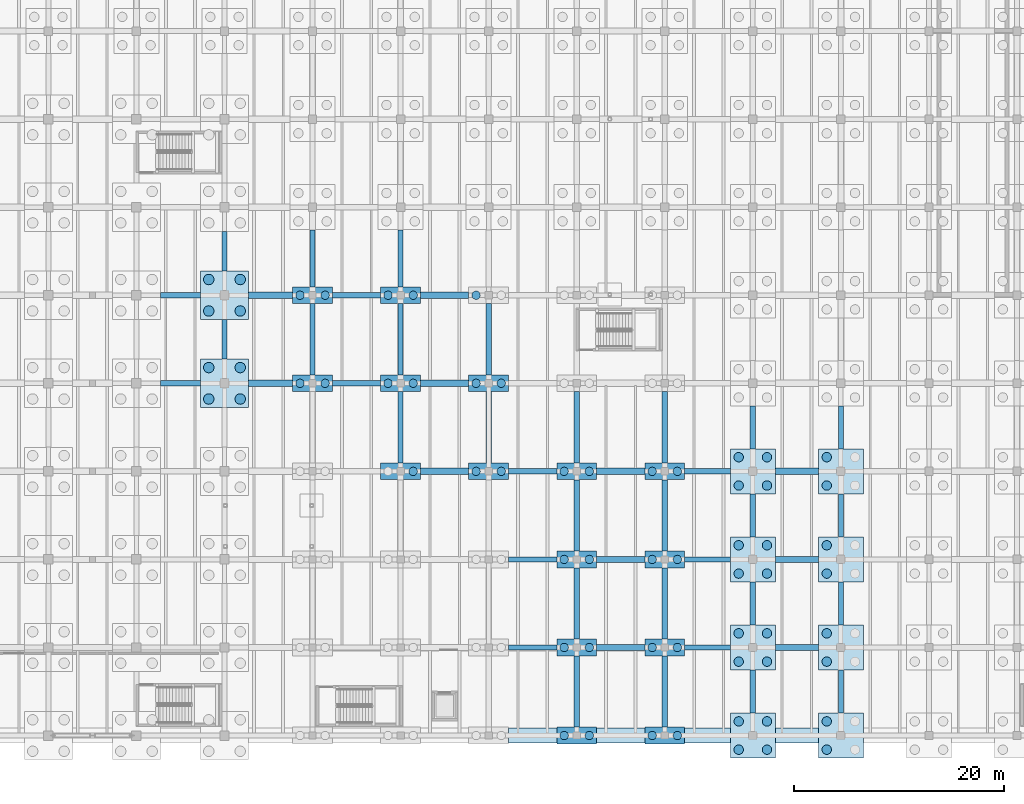
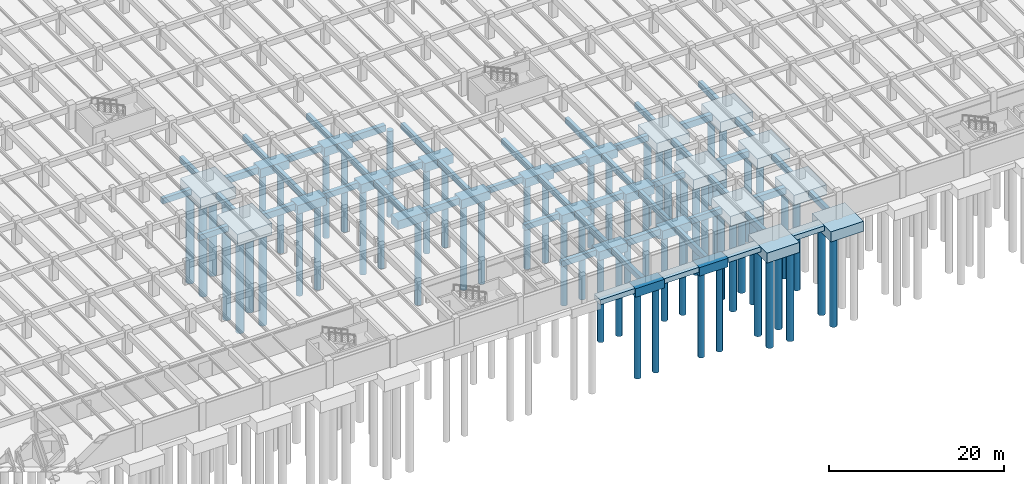
# One storey, part 4 of 70: 75 footings, 62 piles.
"""IFC4 building model written with IfcOpenShell, lengths in metres."""

from ifc_helpers import new_model, si_unit, direction, frame, origin, origin_2d, place, context, subcontext, project, spatial, rectangle, circle, extrude, material, material_profile, profile_set, type_object, element, save


model = new_model("IFC4")

# Units and contexts
model_context = context("Model", 3, precision=1e-05, world=origin(), true_north=direction((0.0, 1.0)))
body_context = subcontext(model_context, "Body", "Model", "MODEL_VIEW")
ifc_project = project(units=[si_unit("LENGTHUNIT", "METRE"), si_unit("AREAUNIT", "SQUARE_METRE"), si_unit("VOLUMEUNIT", "CUBIC_METRE"), si_unit("PLANEANGLEUNIT", "RADIAN"), si_unit("MASSUNIT", "GRAM", prefix="KILO")], contexts=[model_context])

# Site, building, storey
site_placement = place(None, origin())
site = spatial("IfcSite", under=ifc_project, at=site_placement, CompositionType="ELEMENT")
building_placement = place(site_placement, origin())
building = spatial("IfcBuilding", under=site, at=building_placement, Name="Cumbredor Promenade Congress Hotel", CompositionType="ELEMENT")
storey_placement = place(building_placement, frame((0.0, 0.0, -7.56005859375)))
storey = spatial("IfcBuildingStorey", under=building, at=storey_placement, Name="B02", CompositionType="ELEMENT", Elevation=-7.56005859375)

# Piles
ifc_material = material(Name="Concrete C40/50", Category="concrete")
ifc_material_profile_1 = material_profile(ifc_material, circle(Radius=0.39990234375, at=origin_2d()), Name="PILE D800")
ifc_profile_set_1 = profile_set([ifc_material_profile_1], Name="Concrete C40/50")
pile_type_1 = type_object("IfcPileType", Name="Bored Concrete Pile BP-01 800mm", PredefinedType="BORED", material=ifc_profile_set_1)
for number, where, z_axis, x_axis, name in (
    (1, (74.39990234375, 42.0, -1.550048828125), (0.0, 0.0, -1.0), (1.0, 0.0, 0.0), "Bored Pile PC-01-118.1"),
    (2, (76.800048828125, 42.0, -1.550048828125), (0.0, 0.0, -1.0), (1.0, 0.0, 0.0), "Bored Pile PC-01-118.2"),
    (3, (74.39990234375, 50.39990234375, -1.550048828125), (0.0, 0.0, -1.0), (1.0, 0.0, 0.0), "Bored Pile PC-01-119.1"),
    (4, (76.800048828125, 50.39990234375, -1.550048828125), (0.0, 0.0, -1.0), (1.0, 0.0, 0.0), "Bored Pile PC-01-119.2"),
    (5, (85.199951171875, 33.60009765625, -1.550048828125), (0.0, 0.0, -1.0), (1.0, 0.0, 0.0), "Bored Pile PC-01-131.2"),
    (6, (82.800048828125, 42.0, -1.550048828125), (0.0, 0.0, -1.0), (1.0, 0.0, 0.0), "Bored Pile PC-01-132.1"),
    (7, (85.199951171875, 42.0, -1.550048828125), (0.0, 0.0, -1.0), (1.0, 0.0, 0.0), "Bored Pile PC-01-132.2"),
    (8, (82.800048828125, 50.39990234375, -1.550048828125), (0.0, 0.0, -1.0), (1.0, 0.0, 0.0), "Bored Pile PC-01-133.1"),
    (9, (85.199951171875, 50.39990234375, -1.550048828125), (0.0, 0.0, -1.0), (1.0, 0.0, 0.0), "Bored Pile PC-01-133.2"),
    (10, (91.199951171875, 33.60009765625, -1.550048828125), (0.0, 0.0, -1.0), (1.0, 0.0, 0.0), "Bored Pile PC-01-145.1"),
    (11, (93.60009765625, 33.60009765625, -1.550048828125), (0.0, 0.0, -1.0), (1.0, 0.0, 0.0), "Bored Pile PC-01-145.2"),
    (12, (91.199951171875, 42.0, -1.550048828125), (0.0, 0.0, -1.0), (1.0, 0.0, 0.0), "Bored Pile PC-01-146.1"),
    (13, (93.60009765625, 42.0, -1.550048828125), (0.0, 0.0, -1.0), (1.0, 0.0, 0.0), "Bored Pile PC-01-146.2"),
    (14, (91.199951171875, 50.39990234375, -1.550048828125), (0.0, 0.0, -1.0), (1.0, 0.0, 0.0), "Bored Pile PC-01-147.1"),
    (15, (99.60009765625, 8.39990234375, -1.550048828125), (0.0, 0.0, -1.0), (1.0, 0.0, 0.0), "Bored Pile PC-01-156.1"),
    (16, (102.0, 8.39990234375, -1.550048828125), (0.0, 0.0, -1.0), (1.0, 0.0, 0.0), "Bored Pile PC-01-156.2"),
    (17, (99.60009765625, 16.800048828125, -1.550048828125), (0.0, 0.0, -1.0), (1.0, 0.0, 0.0), "Bored Pile PC-01-157.1"),
    (18, (102.0, 16.800048828125, -1.550048828125), (0.0, 0.0, -1.0), (1.0, 0.0, 0.0), "Bored Pile PC-01-157.2"),
    (19, (99.60009765625, 25.199951171875, -1.550048828125), (0.0, 0.0, -1.0), (1.0, 0.0, 0.0), "Bored Pile PC-01-158.1"),
    (20, (102.0, 25.199951171875, -1.550048828125), (0.0, 0.0, -1.0), (1.0, 0.0, 0.0), "Bored Pile PC-01-158.2"),
    (21, (99.60009765625, 33.60009765625, -1.550048828125), (0.0, 0.0, -1.0), (1.0, 0.0, 0.0), "Bored Pile PC-01-159.1"),
    (22, (102.0, 33.60009765625, -1.550048828125), (0.0, 0.0, -1.0), (1.0, 0.0, 0.0), "Bored Pile PC-01-159.2"),
    (23, (108.0, 8.39990234375, -1.550048828125), (0.0, 0.0, -1.0), (1.0, 0.0, 0.0), "Bored Pile PC-01-170.1"),
    (24, (110.39990234375, 8.39990234375, -1.550048828125), (0.0, 0.0, -1.0), (1.0, 0.0, 0.0), "Bored Pile PC-01-170.2"),
    (25, (108.0, 16.800048828125, -1.550048828125), (0.0, 0.0, -1.0), (1.0, 0.0, 0.0), "Bored Pile PC-01-171.1"),
    (26, (110.39990234375, 16.800048828125, -1.550048828125), (0.0, 0.0, -1.0), (1.0, 0.0, 0.0), "Bored Pile PC-01-171.2"),
    (27, (108.0, 25.199951171875, -1.550048828125), (0.0, 0.0, -1.0), (1.0, 0.0, 0.0), "Bored Pile PC-01-172.1"),
    (28, (110.39990234375, 25.199951171875, -1.550048828125), (0.0, 0.0, -1.0), (1.0, 0.0, 0.0), "Bored Pile PC-01-172.2"),
    (29, (108.0, 33.60009765625, -1.550048828125), (0.0, 0.0, -1.0), (1.0, 0.0, 0.0), "Bored Pile PC-01-173.1"),
    (30, (110.39990234375, 33.60009765625, -1.550048828125), (0.0, 0.0, -1.0), (1.0, 0.0, 0.0), "Bored Pile PC-01-173.2"),
):
    element("IfcPile", number, at=place(storey_placement, frame(where, z_axis=z_axis, x_axis=x_axis)), inside=storey, type_object=pile_type_1, Name=name, PredefinedType="BORED", context=body_context, shape_type="SweptSolid", body=[
        extrude(circle(Radius=0.39990234375, at=origin_2d()), origin(), (0.0, 0.0, 1.0), 12.0),
    ])
ifc_material_profile_2 = material_profile(ifc_material, circle(Radius=0.449951171875, at=origin_2d()), Name="PILE D900")
ifc_profile_set_2 = profile_set([ifc_material_profile_2], Name="Concrete C40/50")
pile_type_2 = type_object("IfcPileType", Name="Bored Concrete Pile BP-02 900mm", PredefinedType="BORED", material=ifc_profile_set_2)
for number, where, z_axis, x_axis, name in (
    (31, (116.25, 7.050048828125, -1.75), (0.0, 0.0, -1.0), (1.0, 0.0, 0.0), "Bored Pile PC-02-184.1"),
    (32, (118.949951171875, 7.050048828125, -1.75), (0.0, 0.0, -1.0), (1.0, 0.0, 0.0), "Bored Pile PC-02-184.2"),
    (33, (116.25, 9.75, -1.75), (0.0, 0.0, -1.0), (1.0, 0.0, 0.0), "Bored Pile PC-02-184.3"),
    (34, (118.949951171875, 9.75, -1.75), (0.0, 0.0, -1.0), (1.0, 0.0, 0.0), "Bored Pile PC-02-184.4"),
    (35, (116.25, 15.449951171875, -1.75), (0.0, 0.0, -1.0), (1.0, 0.0, 0.0), "Bored Pile PC-02-185.1"),
    (36, (118.949951171875, 15.449951171875, -1.75), (0.0, 0.0, -1.0), (1.0, 0.0, 0.0), "Bored Pile PC-02-185.2"),
    (37, (116.25, 18.14990234375, -1.75), (0.0, 0.0, -1.0), (1.0, 0.0, 0.0), "Bored Pile PC-02-185.3"),
    (38, (118.949951171875, 18.14990234375, -1.75), (0.0, 0.0, -1.0), (1.0, 0.0, 0.0), "Bored Pile PC-02-185.4"),
    (39, (116.25, 23.85009765625, -1.75), (0.0, 0.0, -1.0), (1.0, 0.0, 0.0), "Bored Pile PC-02-186.1"),
    (40, (118.949951171875, 23.85009765625, -1.75), (0.0, 0.0, -1.0), (1.0, 0.0, 0.0), "Bored Pile PC-02-186.2"),
    (41, (116.25, 26.550048828125, -1.75), (0.0, 0.0, -1.0), (1.0, 0.0, 0.0), "Bored Pile PC-02-186.3"),
    (42, (118.949951171875, 26.550048828125, -1.75), (0.0, 0.0, -1.0), (1.0, 0.0, 0.0), "Bored Pile PC-02-186.4"),
    (43, (116.25, 32.25, -1.75), (0.0, 0.0, -1.0), (1.0, 0.0, 0.0), "Bored Pile PC-02-187.1"),
    (44, (118.949951171875, 32.25, -1.75), (0.0, 0.0, -1.0), (1.0, 0.0, 0.0), "Bored Pile PC-02-187.2"),
    (45, (116.25, 34.949951171875, -1.75), (0.0, 0.0, -1.0), (1.0, 0.0, 0.0), "Bored Pile PC-02-187.3"),
    (46, (118.949951171875, 34.949951171875, -1.75), (0.0, 0.0, -1.0), (1.0, 0.0, 0.0), "Bored Pile PC-02-187.4"),
    (47, (124.64990234375, 7.050048828125, -1.75), (0.0, 0.0, -1.0), (1.0, 0.0, 0.0), "Bored Pile PC-02-198.1"),
    (48, (124.64990234375, 9.75, -1.75), (0.0, 0.0, -1.0), (1.0, 0.0, 0.0), "Bored Pile PC-02-198.3"),
    (49, (124.64990234375, 15.449951171875, -1.75), (0.0, 0.0, -1.0), (1.0, 0.0, 0.0), "Bored Pile PC-02-199.1"),
    (50, (124.64990234375, 18.14990234375, -1.75), (0.0, 0.0, -1.0), (1.0, 0.0, 0.0), "Bored Pile PC-02-199.3"),
    (51, (124.64990234375, 23.85009765625, -1.75), (0.0, 0.0, -1.0), (1.0, 0.0, 0.0), "Bored Pile PC-02-200.1"),
    (52, (124.64990234375, 26.550048828125, -1.75), (0.0, 0.0, -1.0), (1.0, 0.0, 0.0), "Bored Pile PC-02-200.3"),
    (53, (124.64990234375, 32.25, -1.75), (0.0, 0.0, -1.0), (1.0, 0.0, 0.0), "Bored Pile PC-02-201.1"),
    (54, (124.64990234375, 34.949951171875, -1.75), (0.0, 0.0, -1.0), (1.0, 0.0, 0.0), "Bored Pile PC-02-201.3"),
):
    element("IfcPile", number, at=place(storey_placement, frame(where, z_axis=z_axis, x_axis=x_axis)), inside=storey, type_object=pile_type_2, Name=name, PredefinedType="BORED", context=body_context, shape_type="SweptSolid", body=[
        extrude(circle(Radius=0.449951171875, at=origin_2d()), origin(), (0.0, 0.0, 1.0), 12.5),
    ])
ifc_material_profile_3 = material_profile(ifc_material, circle(Radius=0.5, at=origin_2d()), Name="PILE D1000")
ifc_profile_set_3 = profile_set([ifc_material_profile_3], Name="Concrete C40/50")
pile_type_3 = type_object("IfcPileType", Name="Bored Concrete Pile BP-03 1000mm", PredefinedType="BORED", material=ifc_profile_set_3)
for number, where, z_axis, x_axis, name in (
    (55, (65.699951171875, 40.5, -1.949951171875), (0.0, 0.0, -1.0), (1.0, 0.0, 0.0), "Bored Pile PC-03-104.1"),
    (56, (68.699951171875, 40.5, -1.949951171875), (0.0, 0.0, -1.0), (1.0, 0.0, 0.0), "Bored Pile PC-03-104.2"),
    (57, (65.699951171875, 43.5, -1.949951171875), (0.0, 0.0, -1.0), (1.0, 0.0, 0.0), "Bored Pile PC-03-104.3"),
    (58, (68.699951171875, 43.5, -1.949951171875), (0.0, 0.0, -1.0), (1.0, 0.0, 0.0), "Bored Pile PC-03-104.4"),
    (59, (65.699951171875, 48.89990234375, -1.949951171875), (0.0, 0.0, -1.0), (1.0, 0.0, 0.0), "Bored Pile PC-03-105.1"),
    (60, (68.699951171875, 48.89990234375, -1.949951171875), (0.0, 0.0, -1.0), (1.0, 0.0, 0.0), "Bored Pile PC-03-105.2"),
    (61, (65.699951171875, 51.89990234375, -1.949951171875), (0.0, 0.0, -1.0), (1.0, 0.0, 0.0), "Bored Pile PC-03-105.3"),
    (62, (68.699951171875, 51.89990234375, -1.949951171875), (0.0, 0.0, -1.0), (1.0, 0.0, 0.0), "Bored Pile PC-03-105.4"),
):
    element("IfcPile", number, at=place(storey_placement, frame(where, z_axis=z_axis, x_axis=x_axis)), inside=storey, type_object=pile_type_3, Name=name, PredefinedType="BORED", context=body_context, shape_type="SweptSolid", body=[
        extrude(circle(Radius=0.5, at=origin_2d()), origin(), (0.0, 0.0, 1.0), 12.800048828125),
    ])

# Footings
ifc_material_profile_4 = material_profile(ifc_material, rectangle(XDim=0.5, YDim=0.800048828125, at=origin_2d()), Name="FB 500x800")
ifc_profile_set_4 = profile_set([ifc_material_profile_4], Name="Concrete C40/50")
footing_type_1 = type_object("IfcFootingType", Name="Concrete Footing Tie Beam FB-01 500x800", PredefinedType="FOOTING_BEAM", material=ifc_profile_set_4)
for number, where, z_axis, x_axis, name in (
    (63, (61.10205078125, 42.0, -0.89990234375), (1.0, 0.0, 0.0), (0.0, 1.0, 0.0), "Seismic Footing Tie Beam FB-163"),
    (64, (61.10205078125, 50.39990234375, -0.89990234375), (1.0, 0.0, 0.0), (0.0, 1.0, 0.0), "Seismic Footing Tie Beam FB-165"),
    (65, (67.199951171875, 44.302001953125, -0.89990234375), (0.0, 1.0, 0.0), (-1.0, 0.0, 0.0), "Seismic Footing Tie Beam FB-191"),
):
    element("IfcFooting", number, at=place(storey_placement, frame(where, z_axis=z_axis, x_axis=x_axis)), inside=storey, type_object=footing_type_1, Name=name, PredefinedType="FOOTING_BEAM", context=body_context, shape_type="SweptSolid", body=[
        extrude(rectangle(XDim=0.5, YDim=0.800048828125, at=origin_2d()), origin(), (0.0, 0.0, 1.0), 3.7958984375),
    ])
footing_1_placement = place(storey_placement, frame((67.199951171875, 52.701904296875, -0.89990234375), z_axis=(0.0, 1.0, 0.0), x_axis=(-1.0, 0.0, 0.0)))
element("IfcFooting", 66, at=footing_1_placement, inside=storey, type_object=footing_type_1, Name="Seismic Footing Tie Beam FB-193", PredefinedType="FOOTING_BEAM", context=body_context, shape_type="SweptSolid", body=[
    extrude(rectangle(XDim=0.5, YDim=0.800048828125, at=origin_2d()), origin(), (0.0, 0.0, 1.0), 3.796142578125),
])
footing_2_placement = place(storey_placement, frame((77.501953125, 42.0, -0.89990234375), z_axis=(1.0, 0.0, 0.0), x_axis=(0.0, 1.0, 0.0)))
element("IfcFooting", 67, at=footing_2_placement, inside=storey, type_object=footing_type_1, Name="Seismic Footing Tie Beam FB-217", PredefinedType="FOOTING_BEAM", context=body_context, shape_type="SweptSolid", body=[
    extrude(rectangle(XDim=0.5, YDim=0.800048828125, at=origin_2d()), origin(), (0.0, 0.0, 1.0), 4.595947265625),
])
footing_3_placement = place(storey_placement, frame((75.60009765625, 42.802001953125, -0.89990234375), z_axis=(0.0, 1.0, 0.0), x_axis=(-1.0, 0.0, 0.0)))
element("IfcFooting", 68, at=footing_3_placement, inside=storey, type_object=footing_type_1, Name="Seismic Footing Tie Beam FB-218", PredefinedType="FOOTING_BEAM", context=body_context, shape_type="SweptSolid", body=[
    extrude(rectangle(XDim=0.5, YDim=0.800048828125, at=origin_2d()), origin(), (0.0, 0.0, 1.0), 6.7958984375),
])
footing_4_placement = place(storey_placement, frame((77.501953125, 50.39990234375, -0.89990234375), z_axis=(1.0, 0.0, 0.0), x_axis=(0.0, 1.0, 0.0)))
element("IfcFooting", 69, at=footing_4_placement, inside=storey, type_object=footing_type_1, Name="Seismic Footing Tie Beam FB-219", PredefinedType="FOOTING_BEAM", context=body_context, shape_type="SweptSolid", body=[
    extrude(rectangle(XDim=0.5, YDim=0.800048828125, at=origin_2d()), origin(), (0.0, 0.0, 1.0), 4.595947265625),
])
footing_5_placement = place(storey_placement, frame((75.60009765625, 51.201904296875, -0.89990234375), z_axis=(0.0, 1.0, 0.0), x_axis=(-1.0, 0.0, 0.0)))
element("IfcFooting", 70, at=footing_5_placement, inside=storey, type_object=footing_type_1, Name="Seismic Footing Tie Beam FB-220", PredefinedType="FOOTING_BEAM", context=body_context, shape_type="SweptSolid", body=[
    extrude(rectangle(XDim=0.5, YDim=0.800048828125, at=origin_2d()), origin(), (0.0, 0.0, 1.0), 5.446044921875),
])
for number, where, z_axis, x_axis, name in (
    (71, (84.0, 34.402099609375, -0.89990234375), (0.0, 1.0, 0.0), (-1.0, 0.0, 0.0), "Seismic Footing Tie Beam FB-243"),
    (72, (84.0, 42.802001953125, -0.89990234375), (0.0, 1.0, 0.0), (-1.0, 0.0, 0.0), "Seismic Footing Tie Beam FB-245"),
):
    element("IfcFooting", number, at=place(storey_placement, frame(where, z_axis=z_axis, x_axis=x_axis)), inside=storey, type_object=footing_type_1, Name=name, PredefinedType="FOOTING_BEAM", context=body_context, shape_type="SweptSolid", body=[
        extrude(rectangle(XDim=0.5, YDim=0.800048828125, at=origin_2d()), origin(), (0.0, 0.0, 1.0), 6.7958984375),
    ])
footing_6_placement = place(storey_placement, frame((84.0, 51.201904296875, -0.89990234375), z_axis=(0.0, 1.0, 0.0), x_axis=(-1.0, 0.0, 0.0)))
element("IfcFooting", 73, at=footing_6_placement, inside=storey, type_object=footing_type_1, Name="Seismic Footing Tie Beam FB-247", PredefinedType="FOOTING_BEAM", context=body_context, shape_type="SweptSolid", body=[
    extrude(rectangle(XDim=0.5, YDim=0.800048828125, at=origin_2d()), origin(), (0.0, 0.0, 1.0), 5.446044921875),
])
for number, where, z_axis, x_axis, name in (
    (74, (94.302001953125, 16.800048828125, -0.89990234375), (1.0, 0.0, 0.0), (0.0, 1.0, 0.0), "Seismic Footing Tie Beam FB-265"),
    (75, (94.302001953125, 25.199951171875, -0.89990234375), (1.0, 0.0, 0.0), (0.0, 1.0, 0.0), "Seismic Footing Tie Beam FB-267"),
    (76, (94.302001953125, 33.60009765625, -0.89990234375), (1.0, 0.0, 0.0), (0.0, 1.0, 0.0), "Seismic Footing Tie Beam FB-269"),
):
    element("IfcFooting", number, at=place(storey_placement, frame(where, z_axis=z_axis, x_axis=x_axis)), inside=storey, type_object=footing_type_1, Name=name, PredefinedType="FOOTING_BEAM", context=body_context, shape_type="SweptSolid", body=[
        extrude(rectangle(XDim=0.5, YDim=0.800048828125, at=origin_2d()), origin(), (0.0, 0.0, 1.0), 4.595947265625),
    ])
for number, where, z_axis, x_axis, name in (
    (77, (92.39990234375, 34.402099609375, -0.89990234375), (0.0, 1.0, 0.0), (-1.0, 0.0, 0.0), "Seismic Footing Tie Beam FB-270"),
    (78, (92.39990234375, 42.802001953125, -0.89990234375), (0.0, 1.0, 0.0), (-1.0, 0.0, 0.0), "Seismic Footing Tie Beam FB-272"),
):
    element("IfcFooting", number, at=place(storey_placement, frame(where, z_axis=z_axis, x_axis=x_axis)), inside=storey, type_object=footing_type_1, Name=name, PredefinedType="FOOTING_BEAM", context=body_context, shape_type="SweptSolid", body=[
        extrude(rectangle(XDim=0.5, YDim=0.800048828125, at=origin_2d()), origin(), (0.0, 0.0, 1.0), 6.7958984375),
    ])
footing_7_placement = place(storey_placement, frame((100.800048828125, 9.201904296875, -0.89990234375), z_axis=(0.0, 1.0, 0.0), x_axis=(-1.0, 0.0, 0.0)))
element("IfcFooting", 79, at=footing_7_placement, inside=storey, type_object=footing_type_1, Name="Seismic Footing Tie Beam FB-291", PredefinedType="FOOTING_BEAM", context=body_context, shape_type="SweptSolid", body=[
    extrude(rectangle(XDim=0.5, YDim=0.800048828125, at=origin_2d()), origin(), (0.0, 0.0, 1.0), 6.796142578125),
])
footing_8_placement = place(storey_placement, frame((100.800048828125, 17.60205078125, -0.89990234375), z_axis=(0.0, 1.0, 0.0), x_axis=(-1.0, 0.0, 0.0)))
element("IfcFooting", 80, at=footing_8_placement, inside=storey, type_object=footing_type_1, Name="Seismic Footing Tie Beam FB-293", PredefinedType="FOOTING_BEAM", context=body_context, shape_type="SweptSolid", body=[
    extrude(rectangle(XDim=0.5, YDim=0.800048828125, at=origin_2d()), origin(), (0.0, 0.0, 1.0), 6.7958984375),
])
footing_9_placement = place(storey_placement, frame((100.800048828125, 26.001953125, -0.89990234375), z_axis=(0.0, 1.0, 0.0), x_axis=(-1.0, 0.0, 0.0)))
element("IfcFooting", 81, at=footing_9_placement, inside=storey, type_object=footing_type_1, Name="Seismic Footing Tie Beam FB-295", PredefinedType="FOOTING_BEAM", context=body_context, shape_type="SweptSolid", body=[
    extrude(rectangle(XDim=0.5, YDim=0.800048828125, at=origin_2d()), origin(), (0.0, 0.0, 1.0), 6.796142578125),
])
footing_10_placement = place(storey_placement, frame((100.800048828125, 34.402099609375, -0.89990234375), z_axis=(0.0, 1.0, 0.0), x_axis=(-1.0, 0.0, 0.0)))
element("IfcFooting", 82, at=footing_10_placement, inside=storey, type_object=footing_type_1, Name="Seismic Footing Tie Beam FB-297", PredefinedType="FOOTING_BEAM", context=body_context, shape_type="SweptSolid", body=[
    extrude(rectangle(XDim=0.5, YDim=0.800048828125, at=origin_2d()), origin(), (0.0, 0.0, 1.0), 6.7958984375),
])
footing_11_placement = place(storey_placement, frame((109.199951171875, 9.201904296875, -0.89990234375), z_axis=(0.0, 1.0, 0.0), x_axis=(-1.0, 0.0, 0.0)))
element("IfcFooting", 83, at=footing_11_placement, inside=storey, type_object=footing_type_1, Name="Seismic Footing Tie Beam FB-318", PredefinedType="FOOTING_BEAM", context=body_context, shape_type="SweptSolid", body=[
    extrude(rectangle(XDim=0.5, YDim=0.800048828125, at=origin_2d()), origin(), (0.0, 0.0, 1.0), 6.796142578125),
])
footing_12_placement = place(storey_placement, frame((111.10205078125, 16.800048828125, -0.89990234375), z_axis=(1.0, 0.0, 0.0), x_axis=(0.0, 1.0, 0.0)))
element("IfcFooting", 84, at=footing_12_placement, inside=storey, type_object=footing_type_1, Name="Seismic Footing Tie Beam FB-319", PredefinedType="FOOTING_BEAM", context=body_context, shape_type="SweptSolid", body=[
    extrude(rectangle(XDim=0.5, YDim=0.800048828125, at=origin_2d()), origin(), (0.0, 0.0, 1.0), 4.345947265625),
])
footing_13_placement = place(storey_placement, frame((109.199951171875, 17.60205078125, -0.89990234375), z_axis=(0.0, 1.0, 0.0), x_axis=(-1.0, 0.0, 0.0)))
element("IfcFooting", 85, at=footing_13_placement, inside=storey, type_object=footing_type_1, Name="Seismic Footing Tie Beam FB-320", PredefinedType="FOOTING_BEAM", context=body_context, shape_type="SweptSolid", body=[
    extrude(rectangle(XDim=0.5, YDim=0.800048828125, at=origin_2d()), origin(), (0.0, 0.0, 1.0), 6.7958984375),
])
footing_14_placement = place(storey_placement, frame((111.10205078125, 25.199951171875, -0.89990234375), z_axis=(1.0, 0.0, 0.0), x_axis=(0.0, 1.0, 0.0)))
element("IfcFooting", 86, at=footing_14_placement, inside=storey, type_object=footing_type_1, Name="Seismic Footing Tie Beam FB-321", PredefinedType="FOOTING_BEAM", context=body_context, shape_type="SweptSolid", body=[
    extrude(rectangle(XDim=0.5, YDim=0.800048828125, at=origin_2d()), origin(), (0.0, 0.0, 1.0), 4.345947265625),
])
footing_15_placement = place(storey_placement, frame((109.199951171875, 26.001953125, -0.89990234375), z_axis=(0.0, 1.0, 0.0), x_axis=(-1.0, 0.0, 0.0)))
element("IfcFooting", 87, at=footing_15_placement, inside=storey, type_object=footing_type_1, Name="Seismic Footing Tie Beam FB-322", PredefinedType="FOOTING_BEAM", context=body_context, shape_type="SweptSolid", body=[
    extrude(rectangle(XDim=0.5, YDim=0.800048828125, at=origin_2d()), origin(), (0.0, 0.0, 1.0), 6.796142578125),
])
footing_16_placement = place(storey_placement, frame((111.10205078125, 33.60009765625, -0.89990234375), z_axis=(1.0, 0.0, 0.0), x_axis=(0.0, 1.0, 0.0)))
element("IfcFooting", 88, at=footing_16_placement, inside=storey, type_object=footing_type_1, Name="Seismic Footing Tie Beam FB-323", PredefinedType="FOOTING_BEAM", context=body_context, shape_type="SweptSolid", body=[
    extrude(rectangle(XDim=0.5, YDim=0.800048828125, at=origin_2d()), origin(), (0.0, 0.0, 1.0), 4.345947265625),
])
footing_17_placement = place(storey_placement, frame((109.199951171875, 34.402099609375, -0.89990234375), z_axis=(0.0, 1.0, 0.0), x_axis=(-1.0, 0.0, 0.0)))
element("IfcFooting", 89, at=footing_17_placement, inside=storey, type_object=footing_type_1, Name="Seismic Footing Tie Beam FB-324", PredefinedType="FOOTING_BEAM", context=body_context, shape_type="SweptSolid", body=[
    extrude(rectangle(XDim=0.5, YDim=0.800048828125, at=origin_2d()), origin(), (0.0, 0.0, 1.0), 6.7958984375),
])
footing_18_placement = place(storey_placement, frame((117.60009765625, 10.552001953125, -0.89990234375), z_axis=(0.0, 1.0, 0.0), x_axis=(-1.0, 0.0, 0.0)))
element("IfcFooting", 90, at=footing_18_placement, inside=storey, type_object=footing_type_1, Name="Seismic Footing Tie Beam FB-345", PredefinedType="FOOTING_BEAM", context=body_context, shape_type="SweptSolid", body=[
    extrude(rectangle(XDim=0.5, YDim=0.800048828125, at=origin_2d()), origin(), (0.0, 0.0, 1.0), 4.095947265625),
])
footing_19_placement = place(storey_placement, frame((117.60009765625, 18.951904296875, -0.89990234375), z_axis=(0.0, 1.0, 0.0), x_axis=(-1.0, 0.0, 0.0)))
element("IfcFooting", 91, at=footing_19_placement, inside=storey, type_object=footing_type_1, Name="Seismic Footing Tie Beam FB-347", PredefinedType="FOOTING_BEAM", context=body_context, shape_type="SweptSolid", body=[
    extrude(rectangle(XDim=0.5, YDim=0.800048828125, at=origin_2d()), origin(), (0.0, 0.0, 1.0), 4.09619140625),
])
for number, where, z_axis, x_axis, name in (
    (92, (117.60009765625, 27.35205078125, -0.89990234375), (0.0, 1.0, 0.0), (-1.0, 0.0, 0.0), "Seismic Footing Tie Beam FB-349"),
    (93, (117.60009765625, 35.751953125, -0.89990234375), (0.0, 1.0, 0.0), (-1.0, 0.0, 0.0), "Seismic Footing Tie Beam FB-351"),
    (94, (126.0, 10.552001953125, -0.89990234375), (0.0, 1.0, 0.0), (-1.0, 0.0, 0.0), "Seismic Footing Tie Beam FB-372"),
):
    element("IfcFooting", number, at=place(storey_placement, frame(where, z_axis=z_axis, x_axis=x_axis)), inside=storey, type_object=footing_type_1, Name=name, PredefinedType="FOOTING_BEAM", context=body_context, shape_type="SweptSolid", body=[
        extrude(rectangle(XDim=0.5, YDim=0.800048828125, at=origin_2d()), origin(), (0.0, 0.0, 1.0), 4.095947265625),
    ])
footing_20_placement = place(storey_placement, frame((126.0, 18.951904296875, -0.89990234375), z_axis=(0.0, 1.0, 0.0), x_axis=(-1.0, 0.0, 0.0)))
element("IfcFooting", 95, at=footing_20_placement, inside=storey, type_object=footing_type_1, Name="Seismic Footing Tie Beam FB-374", PredefinedType="FOOTING_BEAM", context=body_context, shape_type="SweptSolid", body=[
    extrude(rectangle(XDim=0.5, YDim=0.800048828125, at=origin_2d()), origin(), (0.0, 0.0, 1.0), 4.09619140625),
])
for number, where, z_axis, x_axis, name in (
    (96, (126.0, 27.35205078125, -0.89990234375), (0.0, 1.0, 0.0), (-1.0, 0.0, 0.0), "Seismic Footing Tie Beam FB-376"),
    (97, (126.0, 35.751953125, -0.89990234375), (0.0, 1.0, 0.0), (-1.0, 0.0, 0.0), "Seismic Footing Tie Beam FB-378"),
):
    element("IfcFooting", number, at=place(storey_placement, frame(where, z_axis=z_axis, x_axis=x_axis)), inside=storey, type_object=footing_type_1, Name=name, PredefinedType="FOOTING_BEAM", context=body_context, shape_type="SweptSolid", body=[
        extrude(rectangle(XDim=0.5, YDim=0.800048828125, at=origin_2d()), origin(), (0.0, 0.0, 1.0), 4.095947265625),
    ])
ifc_material_profile_5 = material_profile(ifc_material, rectangle(XDim=0.60009765625, YDim=0.89990234375, at=origin_2d()), Name="FB 600x900")
ifc_profile_set_5 = profile_set([ifc_material_profile_5], Name="Concrete C40/50")
footing_type_2 = type_object("IfcFootingType", Name="Concrete Footing Tie Beam FB-02 600x900", PredefinedType="FOOTING_BEAM", material=ifc_profile_set_5)
for number, where, z_axis, x_axis, name in (
    (98, (69.501953125, 42.0, -0.949951171875), (1.0, 0.0, 0.0), (0.0, 1.0, 0.0), "Seismic Footing Tie Beam FB-190"),
    (99, (69.501953125, 50.39990234375, -0.949951171875), (1.0, 0.0, 0.0), (0.0, 1.0, 0.0), "Seismic Footing Tie Beam FB-192"),
):
    element("IfcFooting", number, at=place(storey_placement, frame(where, z_axis=z_axis, x_axis=x_axis)), inside=storey, type_object=footing_type_2, Name=name, PredefinedType="FOOTING_BEAM", context=body_context, shape_type="SweptSolid", body=[
        extrude(rectangle(XDim=0.60009765625, YDim=0.89990234375, at=origin_2d()), origin(), (0.0, 0.0, 1.0), 4.196044921875),
    ])
for number, where, z_axis, x_axis, name in (
    (100, (85.902099609375, 33.60009765625, -0.949951171875), (1.0, 0.0, 0.0), (0.0, 1.0, 0.0), "Seismic Footing Tie Beam FB-242"),
    (101, (85.902099609375, 42.0, -0.949951171875), (1.0, 0.0, 0.0), (0.0, 1.0, 0.0), "Seismic Footing Tie Beam FB-244"),
    (102, (85.902099609375, 50.39990234375, -0.949951171875), (1.0, 0.0, 0.0), (0.0, 1.0, 0.0), "Seismic Footing Tie Beam FB-246"),
):
    element("IfcFooting", number, at=place(storey_placement, frame(where, z_axis=z_axis, x_axis=x_axis)), inside=storey, type_object=footing_type_2, Name=name, PredefinedType="FOOTING_BEAM", context=body_context, shape_type="SweptSolid", body=[
        extrude(rectangle(XDim=0.60009765625, YDim=0.89990234375, at=origin_2d()), origin(), (0.0, 0.0, 1.0), 4.595947265625),
    ])
for number, where, z_axis, x_axis, name in (
    (103, (102.701904296875, 16.800048828125, -0.949951171875), (1.0, 0.0, 0.0), (0.0, 1.0, 0.0), "Seismic Footing Tie Beam FB-292"),
    (104, (102.701904296875, 25.199951171875, -0.949951171875), (1.0, 0.0, 0.0), (0.0, 1.0, 0.0), "Seismic Footing Tie Beam FB-294"),
    (105, (102.701904296875, 33.60009765625, -0.949951171875), (1.0, 0.0, 0.0), (0.0, 1.0, 0.0), "Seismic Footing Tie Beam FB-296"),
):
    element("IfcFooting", number, at=place(storey_placement, frame(where, z_axis=z_axis, x_axis=x_axis)), inside=storey, type_object=footing_type_2, Name=name, PredefinedType="FOOTING_BEAM", context=body_context, shape_type="SweptSolid", body=[
        extrude(rectangle(XDim=0.60009765625, YDim=0.89990234375, at=origin_2d()), origin(), (0.0, 0.0, 1.0), 4.59619140625),
    ])
for number, where, z_axis, x_axis, name in (
    (106, (119.751953125, 16.800048828125, -0.949951171875), (1.0, 0.0, 0.0), (0.0, 1.0, 0.0), "Seismic Footing Tie Beam FB-346"),
    (107, (119.751953125, 25.199951171875, -0.949951171875), (1.0, 0.0, 0.0), (0.0, 1.0, 0.0), "Seismic Footing Tie Beam FB-348"),
    (108, (119.751953125, 33.60009765625, -0.949951171875), (1.0, 0.0, 0.0), (0.0, 1.0, 0.0), "Seismic Footing Tie Beam FB-350"),
):
    element("IfcFooting", number, at=place(storey_placement, frame(where, z_axis=z_axis, x_axis=x_axis)), inside=storey, type_object=footing_type_2, Name=name, PredefinedType="FOOTING_BEAM", context=body_context, shape_type="SweptSolid", body=[
        extrude(rectangle(XDim=0.60009765625, YDim=0.89990234375, at=origin_2d()), origin(), (0.0, 0.0, 1.0), 4.095947265625),
    ])
footing_type_3 = type_object("IfcFootingType", Name="Concrete Pile Cap PC-01 3800x1600x1200", PredefinedType="PILE_CAP", material=ifc_material)
for number, where, z_axis, x_axis, name in (
    (109, (75.60009765625, 42.0, -1.69970703125), (0.0, 0.0, 1.0), (1.0, 0.0, 0.0), "Pile Cap PC-01 118"),
    (110, (75.60009765625, 50.39990234375, -1.69970703125), (0.0, 0.0, 1.0), (1.0, 0.0, 0.0), "Pile Cap PC-01 119"),
    (111, (84.0, 33.60009765625, -1.69970703125), (0.0, 0.0, 1.0), (1.0, 0.0, 0.0), "Pile Cap PC-01 131"),
    (112, (84.0, 42.0, -1.69970703125), (0.0, 0.0, 1.0), (1.0, 0.0, 0.0), "Pile Cap PC-01 132"),
    (113, (84.0, 50.39990234375, -1.69970703125), (0.0, 0.0, 1.0), (1.0, 0.0, 0.0), "Pile Cap PC-01 133"),
    (114, (92.39990234375, 33.60009765625, -1.69970703125), (0.0, 0.0, 1.0), (1.0, 0.0, 0.0), "Pile Cap PC-01 145"),
    (115, (92.39990234375, 42.0, -1.69970703125), (0.0, 0.0, 1.0), (1.0, 0.0, 0.0), "Pile Cap PC-01 146"),
    (116, (100.800048828125, 8.39990234375, -1.69970703125), (0.0, 0.0, 1.0), (1.0, 0.0, 0.0), "Pile Cap PC-01 156"),
    (117, (100.800048828125, 16.800048828125, -1.69970703125), (0.0, 0.0, 1.0), (1.0, 0.0, 0.0), "Pile Cap PC-01 157"),
    (118, (100.800048828125, 25.199951171875, -1.69970703125), (0.0, 0.0, 1.0), (1.0, 0.0, 0.0), "Pile Cap PC-01 158"),
    (119, (100.800048828125, 33.60009765625, -1.69970703125), (0.0, 0.0, 1.0), (1.0, 0.0, 0.0), "Pile Cap PC-01 159"),
    (120, (109.199951171875, 8.39990234375, -1.69970703125), (0.0, 0.0, 1.0), (1.0, 0.0, 0.0), "Pile Cap PC-01 170"),
    (121, (109.199951171875, 16.800048828125, -1.69970703125), (0.0, 0.0, 1.0), (1.0, 0.0, 0.0), "Pile Cap PC-01 171"),
    (122, (109.199951171875, 25.199951171875, -1.69970703125), (0.0, 0.0, 1.0), (1.0, 0.0, 0.0), "Pile Cap PC-01 172"),
    (123, (109.199951171875, 33.60009765625, -1.69970703125), (0.0, 0.0, 1.0), (1.0, 0.0, 0.0), "Pile Cap PC-01 173"),
):
    element("IfcFooting", number, at=place(storey_placement, frame(where, z_axis=z_axis, x_axis=x_axis)), inside=storey, type_object=footing_type_3, Name=name, PredefinedType="PILE_CAP", context=body_context, shape_type="SweptSolid", body=[
        extrude(rectangle(XDim=3.800048828125, YDim=1.60009765625, at=origin_2d()), origin(), (0.0, 0.0, 1.0), 1.199951171875),
    ])
footing_type_4 = type_object("IfcFootingType", Name="Concrete Pile Cap PC-02 4300x4300x1400", PredefinedType="PILE_CAP", material=ifc_material)
for number, where, z_axis, x_axis, name in (
    (124, (117.60009765625, 8.39990234375, -1.89990234375), (0.0, 0.0, 1.0), (1.0, 0.0, 0.0), "Pile Cap PC-02 184"),
    (125, (117.60009765625, 16.800048828125, -1.89990234375), (0.0, 0.0, 1.0), (1.0, 0.0, 0.0), "Pile Cap PC-02 185"),
    (126, (117.60009765625, 25.199951171875, -1.89990234375), (0.0, 0.0, 1.0), (1.0, 0.0, 0.0), "Pile Cap PC-02 186"),
    (127, (117.60009765625, 33.60009765625, -1.89990234375), (0.0, 0.0, 1.0), (1.0, 0.0, 0.0), "Pile Cap PC-02 187"),
    (128, (126.0, 8.39990234375, -1.89990234375), (0.0, 0.0, 1.0), (1.0, 0.0, 0.0), "Pile Cap PC-02 198"),
    (129, (126.0, 16.800048828125, -1.89990234375), (0.0, 0.0, 1.0), (1.0, 0.0, 0.0), "Pile Cap PC-02 199"),
    (130, (126.0, 25.199951171875, -1.89990234375), (0.0, 0.0, 1.0), (1.0, 0.0, 0.0), "Pile Cap PC-02 200"),
    (131, (126.0, 33.60009765625, -1.89990234375), (0.0, 0.0, 1.0), (1.0, 0.0, 0.0), "Pile Cap PC-02 201"),
):
    element("IfcFooting", number, at=place(storey_placement, frame(where, z_axis=z_axis, x_axis=x_axis)), inside=storey, type_object=footing_type_4, Name=name, PredefinedType="PILE_CAP", context=body_context, shape_type="SweptSolid", body=[
        extrude(rectangle(XDim=4.300048828125, YDim=4.300048828125, at=origin_2d()), origin(), (0.0, 0.0, 1.0), 1.39990234375),
    ])
footing_type_5 = type_object("IfcFootingType", Name="Concrete Pile Cap PC-03 4600x4600x1600", PredefinedType="PILE_CAP", material=ifc_material)
for number, where, z_axis, x_axis, name in (
    (132, (67.199951171875, 42.0, -2.10009765625), (0.0, 0.0, 1.0), (1.0, 0.0, 0.0), "Pile Cap PC-03 104"),
    (133, (67.199951171875, 50.39990234375, -2.10009765625), (0.0, 0.0, 1.0), (1.0, 0.0, 0.0), "Pile Cap PC-03 105"),
):
    element("IfcFooting", number, at=place(storey_placement, frame(where, z_axis=z_axis, x_axis=x_axis)), inside=storey, type_object=footing_type_5, Name=name, PredefinedType="PILE_CAP", context=body_context, shape_type="SweptSolid", body=[
        extrude(rectangle(XDim=4.60009765625, YDim=4.60009765625, at=origin_2d()), origin(), (0.0, 0.0, 1.0), 1.60009765625),
    ])
ifc_material_profile_6 = material_profile(ifc_material, rectangle(XDim=1.39990234375, YDim=0.699951171875, at=origin_2d()), Name="SF 1400x700")
ifc_profile_set_6 = profile_set([ifc_material_profile_6], Name="Concrete C40/50")
footing_type_6 = type_object("IfcFootingType", Name="Concrete Strip Footing SF-01 1400x700", PredefinedType="STRIP_FOOTING", material=ifc_profile_set_6)
footing_21_placement = place(storey_placement, frame((94.302001953125, 8.39990234375, -0.849853515625), z_axis=(1.0, 0.0, 0.0), x_axis=(0.0, 1.0, 0.0)))
element("IfcFooting", 134, at=footing_21_placement, inside=storey, type_object=footing_type_6, Name="Perimeter Strip Footing SF-01 Seg 11", PredefinedType="STRIP_FOOTING", context=body_context, shape_type="SweptSolid", body=[
    extrude(rectangle(XDim=1.39990234375, YDim=0.699951171875, at=origin_2d()), origin(), (0.0, 0.0, 1.0), 4.595947265625),
])
footing_22_placement = place(storey_placement, frame((102.701904296875, 8.39990234375, -0.849853515625), z_axis=(1.0, 0.0, 0.0), x_axis=(0.0, 1.0, 0.0)))
element("IfcFooting", 135, at=footing_22_placement, inside=storey, type_object=footing_type_6, Name="Perimeter Strip Footing SF-01 Seg 12", PredefinedType="STRIP_FOOTING", context=body_context, shape_type="SweptSolid", body=[
    extrude(rectangle(XDim=1.39990234375, YDim=0.699951171875, at=origin_2d()), origin(), (0.0, 0.0, 1.0), 4.59619140625),
])
footing_23_placement = place(storey_placement, frame((111.10205078125, 8.39990234375, -0.849853515625), z_axis=(1.0, 0.0, 0.0), x_axis=(0.0, 1.0, 0.0)))
element("IfcFooting", 136, at=footing_23_placement, inside=storey, type_object=footing_type_6, Name="Perimeter Strip Footing SF-01 Seg 13", PredefinedType="STRIP_FOOTING", context=body_context, shape_type="SweptSolid", body=[
    extrude(rectangle(XDim=1.39990234375, YDim=0.699951171875, at=origin_2d()), origin(), (0.0, 0.0, 1.0), 4.345947265625),
])
footing_24_placement = place(storey_placement, frame((119.751953125, 8.39990234375, -0.849853515625), z_axis=(1.0, 0.0, 0.0), x_axis=(0.0, 1.0, 0.0)))
element("IfcFooting", 137, at=footing_24_placement, inside=storey, type_object=footing_type_6, Name="Perimeter Strip Footing SF-01 Seg 14", PredefinedType="STRIP_FOOTING", context=body_context, shape_type="SweptSolid", body=[
    extrude(rectangle(XDim=1.39990234375, YDim=0.699951171875, at=origin_2d()), origin(), (0.0, 0.0, 1.0), 4.095947265625),
])

save(model, "model.ifc")
